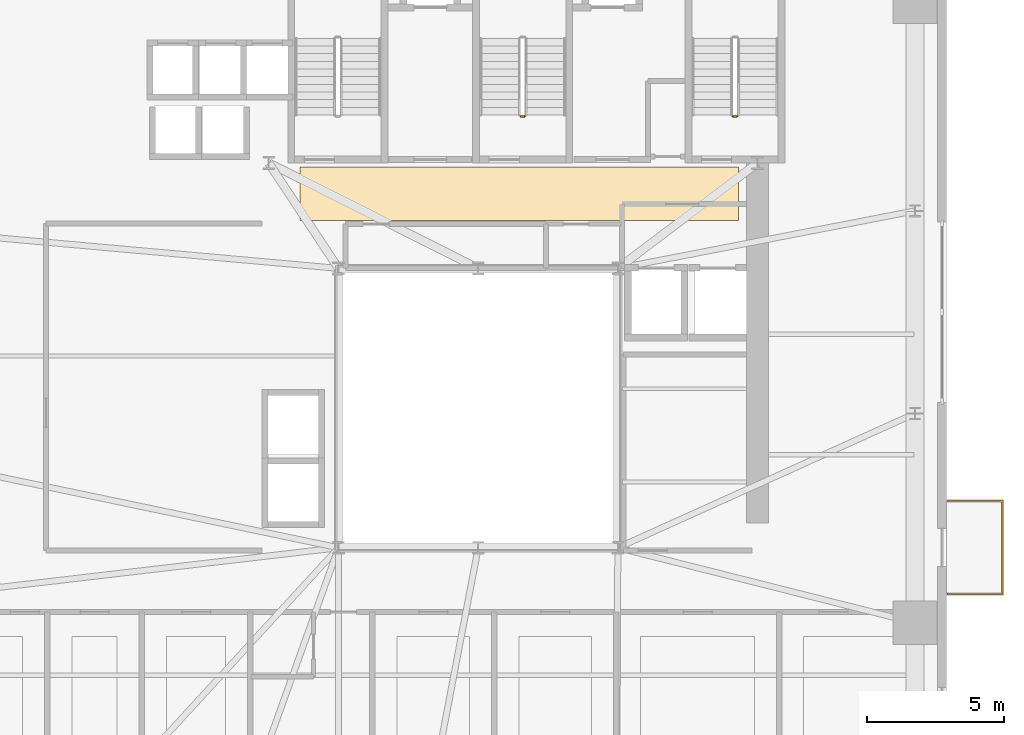
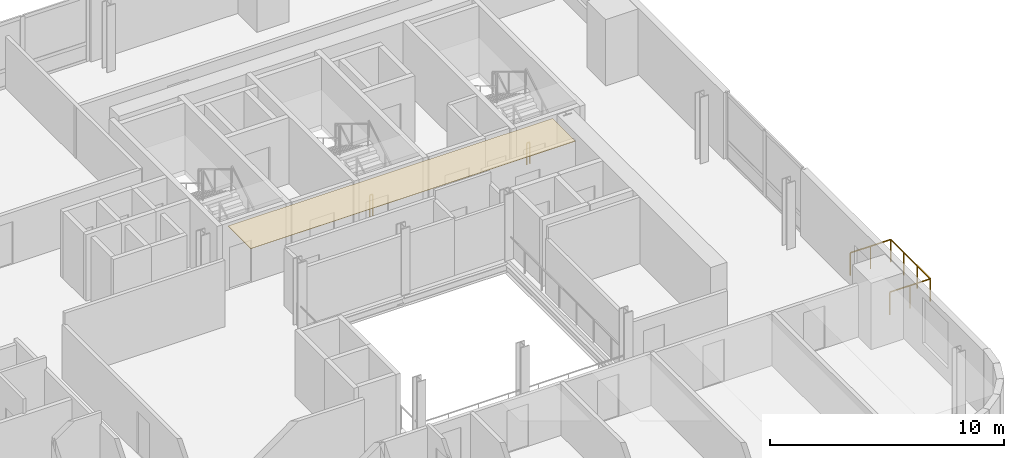
# One storey, part 12 of 14: 3 railings, 1 covering.
"""IFC4 building model written with IfcOpenShell, lengths in metres."""

from ifc_helpers import new_model, si_unit, direction, frame, origin, origin_2d, place, context, subcontext, project, spatial, polyline, rectangle, outline, extrude, source, transform, mapped, material, layer, layer_set, type_object, element, save


model = new_model("IFC4")

# Units and contexts
model_context = context("Model", 3, precision=1e-05, world=origin(), true_north=direction((0.0, 1.0)))
body_context = subcontext(model_context, "Body", "Model", "MODEL_VIEW")
ifc_project = project(units=[si_unit("LENGTHUNIT", "METRE"), si_unit("AREAUNIT", "SQUARE_METRE"), si_unit("VOLUMEUNIT", "CUBIC_METRE"), si_unit("PLANEANGLEUNIT", "RADIAN"), si_unit("MASSUNIT", "GRAM", prefix="KILO")], contexts=[model_context])

# Site, building, storey
site_placement = place(None, origin())
site = spatial("IfcSite", under=ifc_project, at=site_placement, CompositionType="ELEMENT")
building_placement = place(site_placement, origin())
building = spatial("IfcBuilding", under=site, at=building_placement, Name="Vardaveli Station Tower", CompositionType="ELEMENT")
storey_placement = place(building_placement, frame((0.0, 0.0, 129.800048828125)))
storey = spatial("IfcBuildingStorey", under=building, at=storey_placement, Name="L33", CompositionType="ELEMENT", Elevation=129.800048828125)

# Covering
ifc_material_1 = material(Name="Perforated acoustic mineral ceiling")
ifc_layer = layer(ifc_material_1, 0.02001953125, Name="Perforated acoustic mineral ceiling")
ifc_layer_set = layer_set([ifc_layer], Name="Perforated acoustic mineral ceiling")
covering_type = type_object("IfcCoveringType", Name="COV-CEIL-AC20", PredefinedType="CEILING", material=ifc_layer_set)
covering_placement = place(storey_placement, frame((0.0, 0.0, 3.445068359375)))
element("IfcCovering", 1, at=covering_placement, inside=storey, type_object=covering_type, Name="CEIL-L33-8", PredefinedType="CEILING", context=body_context, shape_type="SweptSolid", body=[
    extrude(outline(polyline([(29.800048828125, 28.550048828125), (45.800048828125, 28.550048828125), (45.800048828125, 30.5), (29.800048828125, 30.5), (29.800048828125, 28.550048828125)])), origin(), (0.0, 0.0, 1.0), 0.019775390625),
])

# Railings
ifc_material_2 = material(Name="Laminated glass and stainless steel balustrade", Category="steel")
railing_type_1 = type_object("IfcRailingType", Name="RL-BAL-1200", PredefinedType="BALUSTRADE", material=ifc_material_2)
shared_shape_1 = source(origin(), body_context, "Body", "SweptSolid", [
    extrude(rectangle(XDim=0.048095703125, YDim=0.048095703125, at=origin_2d()), frame((0.0, 0.0, 1.17578125), z_axis=(1.0, 0.0, 0.0), x_axis=(0.0, 1.0, 0.0)), (0.0, 0.0, 1.0), 2.0),
    extrude(rectangle(XDim=0.048095703125, YDim=0.048095703125, at=origin_2d()), frame((2.0, 0.0, 1.17578125), z_axis=(0.0, 1.0, 0.0), x_axis=(-1.0, 0.0, 0.0)), (0.0, 0.0, 1.0), 3.3798828125),
    extrude(rectangle(XDim=0.048095703125, YDim=0.048095703125, at=origin_2d()), frame((2.0, 3.3798828125, 1.17578125), z_axis=(-1.0, 0.0, 0.0), x_axis=(0.0, -1.0, 0.0)), (0.0, 0.0, 1.0), 2.0),
    extrude(rectangle(XDim=0.0419921875, YDim=0.0419921875, at=origin_2d()), origin(), (0.0, 0.0, 1.0), 1.15185546875),
    extrude(rectangle(XDim=0.0419921875, YDim=0.0419921875, at=origin_2d()), frame((1.0, 0.0, 0.0)), (0.0, 0.0, 1.0), 1.15185546875),
    extrude(rectangle(XDim=0.0419921875, YDim=0.0419921875, at=origin_2d()), frame((2.0, 0.0, 0.0)), (0.0, 0.0, 1.0), 1.15185546875),
    extrude(rectangle(XDim=0.0419921875, YDim=0.0419921875, at=origin_2d()), frame((2.0, 1.126708984375, 0.0)), (0.0, 0.0, 1.0), 1.15185546875),
    extrude(rectangle(XDim=0.0419921875, YDim=0.0419921875, at=origin_2d()), frame((2.0, 2.253173828125, 0.0)), (0.0, 0.0, 1.0), 1.15185546875),
    extrude(rectangle(XDim=0.0419921875, YDim=0.0419921875, at=origin_2d()), frame((2.0, 3.3798828125, 0.0)), (0.0, 0.0, 1.0), 1.15185546875),
    extrude(rectangle(XDim=0.0419921875, YDim=0.0419921875, at=origin_2d()), frame((1.0, 3.3798828125, 0.0)), (0.0, 0.0, 1.0), 1.15185546875),
    extrude(rectangle(XDim=0.0419921875, YDim=0.0419921875, at=origin_2d()), frame((0.0, 3.3798828125, 0.0)), (0.0, 0.0, 1.0), 1.15185546875),
])
railing_placement = place(storey_placement, frame((53.43994140625, 14.92041015625, 0.0)))
element("IfcRailing", 2, at=railing_placement, inside=storey, type_object=railing_type_1, Name="RL-LOG-L33-04", PredefinedType="BALUSTRADE", context=body_context, shape_type="MappedRepresentation", body=[
    mapped(shared_shape_1, transform((0.0, 0.0, 0.0), scale=1.0)),
])
ifc_material_3 = material(Name="Brushed AISI 316 stainless steel", Category="steel")
railing_type_2 = type_object("IfcRailingType", Name="RL-GUARD-1150", PredefinedType="GUARDRAIL", material=ifc_material_3)
shared_shape_2 = source(origin(), body_context, "Body", "SweptSolid", [
    extrude(rectangle(XDim=0.048095703125, YDim=0.048095703125, at=origin_2d()), frame((0.0, 0.0, 1.1259765625), z_axis=(-1.0, 0.0, 0.0), x_axis=(0.0, -1.0, 0.0)), (0.0, 0.0, 1.0), 0.14990234375),
    extrude(rectangle(XDim=0.0419921875, YDim=0.0419921875, at=origin_2d()), origin(), (0.0, 0.0, 1.0), 1.101806640625),
    extrude(rectangle(XDim=0.0419921875, YDim=0.0419921875, at=origin_2d()), frame((-0.14990234375, 0.0, 0.0)), (0.0, 0.0, 1.0), 1.101806640625),
])
for number, where, name in (
    (3, (38.0, 32.35009765625, 0.0), "L33 ST-2 stair guard 4"),
    (4, (45.75, 32.35009765625, 0.0), "L33 ST-3 stair guard 4"),
):
    element("IfcRailing", number, at=place(storey_placement, frame(where)), inside=storey, type_object=railing_type_2, Name=name, PredefinedType="GUARDRAIL", context=body_context, shape_type="MappedRepresentation", body=[
        mapped(shared_shape_2, transform((0.0, 0.0, 0.0), scale=1.0)),
    ])

save(model, "model.ifc")
